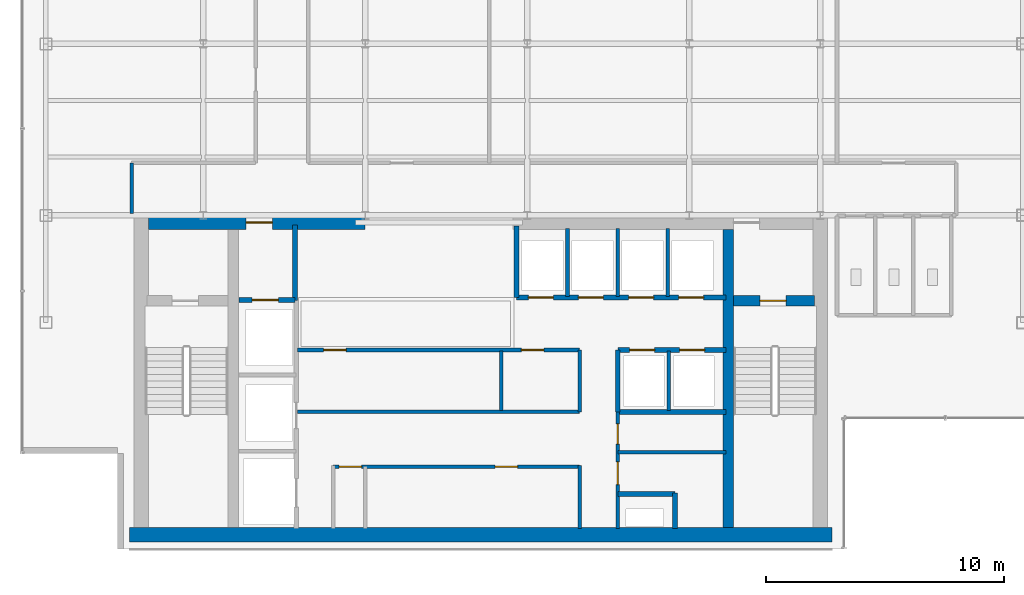
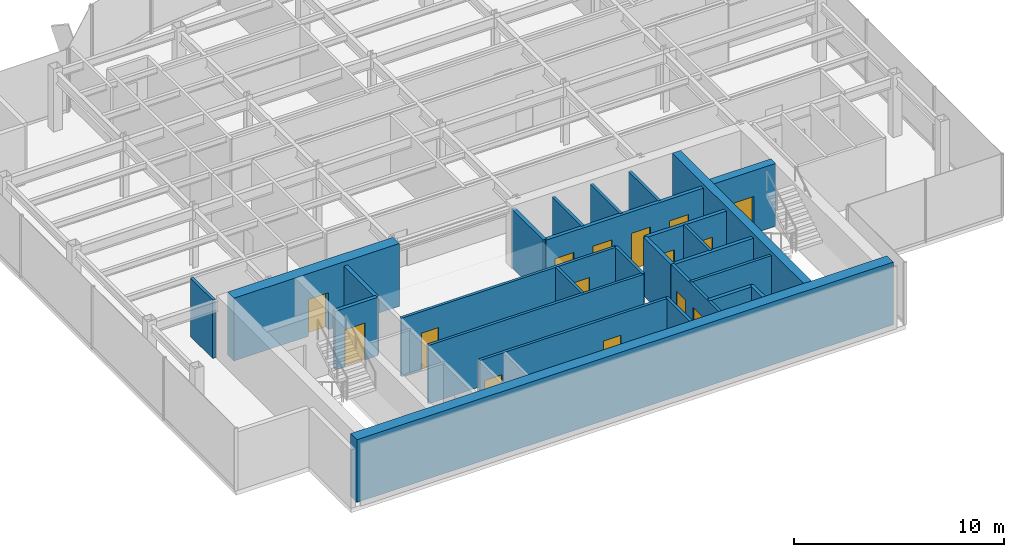
# One storey, part 17 of 22: 26 walls, 15 doors, 15 openings.
"""IFC4 building model written with IfcOpenShell, lengths in metres."""

from ifc_helpers import new_model, si_unit, derived_unit, direction, frame, frame_2d, origin, place, context, subcontext, project, spatial, rectangle, extrude, source, transform, mapped, material, layer, layer_set, type_object, element, fill, save


model = new_model("IFC4")

# Units and contexts
model_context = context("Model", 3, precision=1e-05, world=origin(), true_north=direction((0.0, 1.0)))
body_context = subcontext(model_context, "Body", "Model", "MODEL_VIEW")
ifc_project = project(units=[si_unit("LENGTHUNIT", "METRE"), si_unit("AREAUNIT", "SQUARE_METRE"), si_unit("VOLUMEUNIT", "CUBIC_METRE"), si_unit("PLANEANGLEUNIT", "RADIAN"), si_unit("MASSUNIT", "GRAM", prefix="KILO"), derived_unit("THERMALTRANSMITTANCEUNIT", [(si_unit("POWERUNIT", "WATT"), 1), (si_unit("LENGTHUNIT", "METRE"), -2), (si_unit("THERMODYNAMICTEMPERATUREUNIT", "KELVIN"), -1)])], contexts=[model_context])

# Site, building, storey
site_placement = place(None, origin())
site = spatial("IfcSite", under=ifc_project, at=site_placement, CompositionType="ELEMENT")
building_placement = place(site_placement, origin())
building = spatial("IfcBuilding", under=site, at=building_placement, Name="Skarnbrae Concourse Arena and Tower", CompositionType="ELEMENT")
storey_placement = place(building_placement, frame((0.0, 0.0, 210.5)))
storey = spatial("IfcBuildingStorey", under=building, at=storey_placement, Name="L54", CompositionType="ELEMENT", Elevation=210.5)

# Wall, opening, door
ifc_material_1 = material(Name="Concrete 50 MPa (C50/60)", Category="concrete")
ifc_layer_1 = layer(ifc_material_1, 0.449951171875)
ifc_layer_set_1 = layer_set([ifc_layer_1], Name="Concrete 50 MPa (C50/60)")
wall_type_1 = type_object("IfcWallType", Name="WALL-CORE-450-C50", PredefinedType="SHEAR", material=ifc_layer_set_1)
shared_shape_1 = source(origin(), body_context, "Body", "SweptSolid", [
    extrude(rectangle(XDim=3.389892578125, YDim=0.449951171875, at=frame_2d((1.69482421875, 0.0))), origin(), (0.0, 0.0, 1.0), 3.64990234375),
])
wall_1_placement = place(storey_placement, frame((29.860107421875, 10.419921875, 0.0), z_axis=(0.0, 0.0, 1.0), x_axis=(1.0, 0.0, 0.0)))
wall_1 = element("IfcWall", 1, at=wall_1_placement, inside=storey, type_object=wall_type_1, Name="L54 Rear core shear wall CW-ST2-N", PredefinedType="SHEAR", context=body_context, shape_type="MappedRepresentation", body=[
    mapped(shared_shape_1, transform((0.0, 0.0, 0.0))),
])
opening_1_placement = place(wall_1_placement, frame((1.10009765625, 0.0, 0.0)))
opening_1 = element("IfcOpeningElement", 2, at=opening_1_placement, cuts=wall_1, Name="Opening DT-03", PredefinedType="OPENING", context=body_context, shape_type="SweptSolid", body=[
    extrude(rectangle(XDim=1.10009765625, YDim=2.14990234375, at=frame_2d((0.550048828125, 1.074951171875))), frame((0.0, 0.23486328125, 0.0), z_axis=(0.0, -1.0, 0.0), x_axis=(1.0, 0.0, 0.0)), (0.0, 0.0, 1.0), 0.469970703125),
])
ifc_material_2 = material(Name="Steel CSA G40.21 350W", Category="steel")
door_type_1 = type_object("IfcDoorType", Name="DOOR-FIRE-1100-90M", OperationType="NOTDEFINED", PredefinedType="DOOR", material=ifc_material_2)
shared_shape_2 = source(origin(), body_context, "Body", "SweptSolid", [
    extrude(rectangle(XDim=1.10009765625, YDim=2.14990234375, at=frame_2d((0.550048828125, 1.074951171875))), frame((0.0, 0.02490234375, 0.0), z_axis=(0.0, -1.0, 0.0), x_axis=(1.0, 0.0, 0.0)), (0.0, 0.0, 1.0), 0.050048828125),
])
door_1_placement = place(opening_1_placement, frame((1.10009765625, 0.0, 0.0), z_axis=(0.0, 0.0, 1.0), x_axis=(-1.0, 0.0, 0.0)))
door_1 = element("IfcDoor", 3, at=door_1_placement, inside=storey, type_object=door_type_1, Name="D-1643 Stair ST-2 Door", OperationType="SINGLE_SWING_RIGHT", OverallHeight=2.14990234375, OverallWidth=1.10009765625, PredefinedType="DOOR", context=body_context, shape_type="MappedRepresentation", body=[
    mapped(shared_shape_2, transform((0.0, 0.0, 0.0))),
])
fill(opening_1, door_1)

# Wall
ifc_layer_2 = layer(ifc_material_1, 0.60009765625)
ifc_layer_set_2 = layer_set([ifc_layer_2], Name="Concrete 50 MPa (C50/60)")
wall_type_2 = type_object("IfcWallType", Name="WALL-CORE-600-C50", PredefinedType="SHEAR", material=ifc_layer_set_2)
shared_shape_3 = source(origin(), body_context, "Body", "SweptSolid", [
    extrude(rectangle(XDim=29.5, YDim=0.60009765625, at=frame_2d((14.75, 0.0))), origin(), (0.0, 0.0, 1.0), 3.64990234375),
])
wall_2_placement = place(storey_placement, frame((4.5, 0.60009765625, 0.0), z_axis=(0.0, 0.0, 1.0), x_axis=(1.0, 0.0, 0.0)))
element("IfcWall", 4, at=wall_2_placement, inside=storey, type_object=wall_type_2, Name="L54 Rear core shear wall CW-S", PredefinedType="SHEAR", context=body_context, shape_type="MappedRepresentation", body=[
    mapped(shared_shape_3, transform((0.0, 0.0, 0.0))),
])

# Wall, opening, door
shared_shape_4 = source(origin(), body_context, "Body", "SweptSolid", [
    extrude(rectangle(XDim=9.099853515625, YDim=0.60009765625, at=frame_2d((4.5498046875, 0.0))), origin(), (0.0, 0.0, 1.0), 3.64990234375),
])
wall_3_placement = place(storey_placement, frame((5.300048828125, 13.699951171875, 0.0), z_axis=(0.0, 0.0, 1.0), x_axis=(1.0, 0.0, 0.0)))
wall_3 = element("IfcWall", 5, at=wall_3_placement, inside=storey, type_object=wall_type_2, Name="L54 Rear core shear wall CW-NW", PredefinedType="SHEAR", context=body_context, shape_type="MappedRepresentation", body=[
    mapped(shared_shape_4, transform((0.0, 0.0, 0.0))),
])
opening_2_placement = place(wall_3_placement, frame((4.10009765625, 0.0, 0.0)))
opening_2 = element("IfcOpeningElement", 6, at=opening_2_placement, cuts=wall_3, Name="Opening DT-03", PredefinedType="OPENING", context=body_context, shape_type="SweptSolid", body=[
    extrude(rectangle(XDim=1.10009765625, YDim=2.14990234375, at=frame_2d((0.550048828125, 1.074951171875))), frame((0.0, 0.31005859375, 0.0), z_axis=(0.0, -1.0, 0.0), x_axis=(1.0, 0.0, 0.0)), (0.0, 0.0, 1.0), 0.6201171875),
])
door_2_placement = place(opening_2_placement, origin())
door_2 = element("IfcDoor", 7, at=door_2_placement, inside=storey, type_object=door_type_1, Name="D-1644 Firefighting Lobby Exit Door", OperationType="SINGLE_SWING_RIGHT", OverallHeight=2.14990234375, OverallWidth=1.10009765625, PredefinedType="DOOR", context=body_context, shape_type="MappedRepresentation", body=[
    mapped(shared_shape_2, transform((0.0, 0.0, 0.0))),
])
fill(opening_2, door_2)

# Walls
shared_shape_5 = source(origin(), body_context, "Body", "SweptSolid", [
    extrude(rectangle(XDim=12.5, YDim=0.449951171875, at=frame_2d((6.25, 0.0))), origin(), (0.0, 0.0, 1.0), 3.64990234375),
])
wall_4_placement = place(storey_placement, frame((29.635009765625, 0.89990234375, 0.0), z_axis=(0.0, 0.0, 1.0), x_axis=(0.0, 1.0, 0.0)))
element("IfcWall", 8, at=wall_4_placement, inside=storey, type_object=wall_type_1, Name="L54 Rear core shear wall CW-WEB-E", PredefinedType="SHEAR", context=body_context, shape_type="MappedRepresentation", body=[
    mapped(shared_shape_5, transform((0.0, 0.0, 0.0))),
])
ifc_material_3 = material(Name="Gypsum board on cold-formed steel studs", Category="steel")
ifc_layer_3 = layer(ifc_material_3, 0.199951171875)
ifc_layer_set_3 = layer_set([ifc_layer_3], Name="Gypsum board on cold-formed steel studs")
wall_type_3 = type_object("IfcWallType", Name="WALL-PART-200-2HR", PredefinedType="PARTITIONING", material=ifc_layer_set_3)
shared_shape_6 = source(origin(), body_context, "Body", "SweptSolid", [
    extrude(rectangle(XDim=3.18017578125, YDim=0.199951171875, at=frame_2d((1.590087890625, 0.0))), origin(), (0.0, 0.0, 1.0), 3.39990234375),
])
wall_5_placement = place(storey_placement, frame((11.449951171875, 10.419921875, 0.0), z_axis=(0.0, 0.0, 1.0), x_axis=(0.0, 1.0, 0.0)))
element("IfcWall", 9, at=wall_5_placement, inside=storey, type_object=wall_type_3, Name="L54 Interior partition wall W-L54-FFL-E", PredefinedType="PARTITIONING", context=body_context, shape_type="MappedRepresentation", body=[
    mapped(shared_shape_6, transform((0.0, 0.0, 0.0))),
])

# Wall, opening, door
shared_shape_7 = source(origin(), body_context, "Body", "SweptSolid", [
    extrude(rectangle(XDim=2.349853515625, YDim=0.199951171875, at=frame_2d((1.1748046875, 0.0))), origin(), (0.0, 0.0, 1.0), 3.39990234375),
])
wall_6_placement = place(storey_placement, frame((9.10009765625, 10.449951171875, 0.0), z_axis=(0.0, 0.0, 1.0), x_axis=(1.0, 0.0, 0.0)))
wall_6 = element("IfcWall", 10, at=wall_6_placement, inside=storey, type_object=wall_type_3, Name="L54 Interior partition wall W-L54-FL1-N", PredefinedType="PARTITIONING", context=body_context, shape_type="MappedRepresentation", body=[
    mapped(shared_shape_7, transform((0.0, 0.0, 0.0))),
])
opening_3_placement = place(wall_6_placement, frame((0.550048828125, 0.0, 0.0)))
opening_3 = element("IfcOpeningElement", 11, at=opening_3_placement, cuts=wall_6, Name="Opening LD-01", PredefinedType="OPENING", context=body_context, shape_type="SweptSolid", body=[
    extrude(rectangle(XDim=1.10009765625, YDim=2.14990234375, at=frame_2d((0.550048828125, 1.074951171875))), frame((0.0, 0.10986328125, 0.0), z_axis=(0.0, -1.0, 0.0), x_axis=(1.0, 0.0, 0.0)), (0.0, 0.0, 1.0), 0.219970703125),
])
door_type_2 = type_object("IfcDoorType", Name="DOOR-LIFT-SLIDE-1100", OperationType="SLIDING_TO_LEFT", PredefinedType="DOOR", material=ifc_material_2)
door_3_placement = place(opening_3_placement, origin())
door_3 = element("IfcDoor", 12, at=door_3_placement, inside=storey, type_object=door_type_2, Name="D-1646 Firefighting Lift Landing Door FL-01", OperationType="SLIDING_TO_LEFT", OverallHeight=2.14990234375, OverallWidth=1.10009765625, PredefinedType="DOOR", context=body_context, shape_type="MappedRepresentation", body=[
    mapped(shared_shape_2, transform((0.0, 0.0, 0.0))),
])
fill(opening_3, door_3)

# Walls
shared_shape_8 = source(origin(), body_context, "Body", "SweptSolid", [
    extrude(rectangle(XDim=2.60009765625, YDim=0.199951171875, at=frame_2d((1.300048828125, 0.0))), origin(), (0.0, 0.0, 1.0), 3.39990234375),
])
wall_7_placement = place(storey_placement, frame((25.0, 5.75, 0.0), z_axis=(0.0, 0.0, 1.0), x_axis=(0.0, 1.0, 0.0)))
element("IfcWall", 13, at=wall_7_placement, inside=storey, type_object=wall_type_3, Name="L54 Interior partition wall W-L54-B3S-W", PredefinedType="PARTITIONING", context=body_context, shape_type="MappedRepresentation", body=[
    mapped(shared_shape_8, transform((0.0, 0.0, 0.0))),
])
ifc_layer_4 = layer(ifc_material_3, 0.14990234375)
ifc_layer_set_4 = layer_set([ifc_layer_4], Name="Gypsum board on cold-formed steel studs")
wall_type_4 = type_object("IfcWallType", Name="WALL-PART-150", PredefinedType="PARTITIONING", material=ifc_layer_set_4)
shared_shape_9 = source(origin(), body_context, "Body", "SweptSolid", [
    extrude(rectangle(XDim=2.5, YDim=0.14990234375, at=frame_2d((1.25, 0.0))), origin(), (0.0, 0.0, 1.0), 3.39990234375),
])
for number, where, z_axis, x_axis, name in (
    (14, (20.10009765625, 5.800048828125, 0.0), (0.0, 0.0, 1.0), (0.0, 1.0, 0.0), "L54 Interior partition wall W-L54-B2M-MID"),
    (15, (27.139892578125, 5.800048828125, 0.0), (0.0, 0.0, 1.0), (0.0, 1.0, 0.0), "L54 Interior partition wall W-L54-B3S-P1"),
):
    element("IfcWall", number, at=place(storey_placement, frame(where, z_axis=z_axis, x_axis=x_axis)), inside=storey, type_object=wall_type_4, Name=name, PredefinedType="PARTITIONING", context=body_context, shape_type="MappedRepresentation", body=[
        mapped(shared_shape_9, transform((0.0, 0.0, 0.0))),
    ])

# Wall, openings, doors
shared_shape_10 = source(origin(), body_context, "Body", "SweptSolid", [
    extrude(rectangle(XDim=8.800048828125, YDim=0.199951171875, at=frame_2d((4.39990234375, 0.0))), origin(), (0.0, 0.0, 1.0), 3.39990234375),
])
wall_8_placement = place(storey_placement, frame((20.75, 10.550048828125, 0.0), z_axis=(0.0, 0.0, 1.0), x_axis=(1.0, 0.0, 0.0)))
wall_8 = element("IfcWall", 16, at=wall_8_placement, inside=storey, type_object=wall_type_3, Name="L54 Interior partition wall W-L54-B3N-S", PredefinedType="PARTITIONING", context=body_context, shape_type="MappedRepresentation", body=[
    mapped(shared_shape_10, transform((0.0, 0.0, 0.0))),
])
opening_4_placement = place(wall_8_placement, frame((0.5, 0.0, 0.0)))
opening_4 = element("IfcOpeningElement", 17, at=opening_4_placement, cuts=wall_8, Name="Opening LD-04", PredefinedType="OPENING", context=body_context, shape_type="SweptSolid", body=[
    extrude(rectangle(XDim=1.050048828125, YDim=2.14990234375, at=frame_2d((0.52490234375, 1.074951171875))), frame((0.0, 0.10986328125, 0.0), z_axis=(0.0, -1.0, 0.0), x_axis=(1.0, 0.0, 0.0)), (0.0, 0.0, 1.0), 0.219970703125),
])
opening_5_placement = place(wall_8_placement, frame((2.60009765625, 0.0, 0.0)))
opening_5 = element("IfcOpeningElement", 18, at=opening_5_placement, cuts=wall_8, Name="Opening LD-04", PredefinedType="OPENING", context=body_context, shape_type="SweptSolid", body=[
    extrude(rectangle(XDim=1.050048828125, YDim=2.14990234375, at=frame_2d((0.52490234375, 1.074951171875))), frame((0.0, 0.10986328125, 0.0), z_axis=(0.0, -1.0, 0.0), x_axis=(1.0, 0.0, 0.0)), (0.0, 0.0, 1.0), 0.219970703125),
])
opening_6_placement = place(wall_8_placement, frame((4.699951171875, 0.0, 0.0)))
opening_6 = element("IfcOpeningElement", 19, at=opening_6_placement, cuts=wall_8, Name="Opening LD-04", PredefinedType="OPENING", context=body_context, shape_type="SweptSolid", body=[
    extrude(rectangle(XDim=1.050048828125, YDim=2.14990234375, at=frame_2d((0.52490234375, 1.074951171875))), frame((0.0, 0.10986328125, 0.0), z_axis=(0.0, -1.0, 0.0), x_axis=(1.0, 0.0, 0.0)), (0.0, 0.0, 1.0), 0.219970703125),
])
opening_7_placement = place(wall_8_placement, frame((6.800048828125, 0.0, 0.0)))
opening_7 = element("IfcOpeningElement", 20, at=opening_7_placement, cuts=wall_8, Name="Opening LD-04", PredefinedType="OPENING", context=body_context, shape_type="SweptSolid", body=[
    extrude(rectangle(XDim=1.050048828125, YDim=2.14990234375, at=frame_2d((0.52490234375, 1.074951171875))), frame((0.0, 0.10986328125, 0.0), z_axis=(0.0, -1.0, 0.0), x_axis=(1.0, 0.0, 0.0)), (0.0, 0.0, 1.0), 0.219970703125),
])
ifc_material_4 = material(Name="Bronze anodised aluminium 6063-T6", Category="aluminium")
door_type_3 = type_object("IfcDoorType", Name="DOOR-LIFT-SLIDE-1050H", OperationType="SLIDING_TO_LEFT", PredefinedType="DOOR", material=ifc_material_4)
shared_shape_11 = source(origin(), body_context, "Body", "SweptSolid", [
    extrude(rectangle(XDim=1.050048828125, YDim=2.14990234375, at=frame_2d((0.52490234375, 1.074951171875))), frame((0.0, 0.02490234375, 0.0), z_axis=(0.0, -1.0, 0.0), x_axis=(1.0, 0.0, 0.0)), (0.0, 0.0, 1.0), 0.050048828125),
])
door_4_placement = place(opening_4_placement, frame((1.050048828125, 0.0, 0.0), z_axis=(0.0, 0.0, 1.0), x_axis=(-1.0, 0.0, 0.0)))
door_4 = element("IfcDoor", 21, at=door_4_placement, inside=storey, type_object=door_type_3, Name="D-1653 Passenger Lift Landing Door PL-3A", OperationType="SLIDING_TO_LEFT", OverallHeight=2.14990234375, OverallWidth=1.050048828125, PredefinedType="DOOR", context=body_context, shape_type="MappedRepresentation", body=[
    mapped(shared_shape_11, transform((0.0, 0.0, 0.0))),
])
fill(opening_4, door_4)
door_5_placement = place(opening_5_placement, frame((1.050048828125, 0.0, 0.0), z_axis=(0.0, 0.0, 1.0), x_axis=(-1.0, 0.0, 0.0)))
door_5 = element("IfcDoor", 22, at=door_5_placement, inside=storey, type_object=door_type_3, Name="D-1654 Passenger Lift Landing Door PL-3B", OperationType="SLIDING_TO_LEFT", OverallHeight=2.14990234375, OverallWidth=1.050048828125, PredefinedType="DOOR", context=body_context, shape_type="MappedRepresentation", body=[
    mapped(shared_shape_11, transform((0.0, 0.0, 0.0))),
])
fill(opening_5, door_5)
door_6_placement = place(opening_6_placement, frame((1.050048828125, 0.0, 0.0), z_axis=(0.0, 0.0, 1.0), x_axis=(-1.0, 0.0, 0.0)))
door_6 = element("IfcDoor", 23, at=door_6_placement, inside=storey, type_object=door_type_3, Name="D-1655 Passenger Lift Landing Door PL-3C", OperationType="SLIDING_TO_LEFT", OverallHeight=2.14990234375, OverallWidth=1.050048828125, PredefinedType="DOOR", context=body_context, shape_type="MappedRepresentation", body=[
    mapped(shared_shape_11, transform((0.0, 0.0, 0.0))),
])
fill(opening_6, door_6)
door_7_placement = place(opening_7_placement, frame((1.050048828125, 0.0, 0.0), z_axis=(0.0, 0.0, 1.0), x_axis=(-1.0, 0.0, 0.0)))
door_7 = element("IfcDoor", 24, at=door_7_placement, inside=storey, type_object=door_type_3, Name="D-1656 Passenger Lift Landing Door PL-3D", OperationType="SLIDING_TO_LEFT", OverallHeight=2.14990234375, OverallWidth=1.050048828125, PredefinedType="DOOR", context=body_context, shape_type="MappedRepresentation", body=[
    mapped(shared_shape_11, transform((0.0, 0.0, 0.0))),
])
fill(opening_7, door_7)

# Walls
shared_shape_12 = source(origin(), body_context, "Body", "SweptSolid", [
    extrude(rectangle(XDim=3.0, YDim=0.199951171875, at=frame_2d((1.5, 0.0))), origin(), (0.0, 0.0, 1.0), 3.39990234375),
])
wall_9_placement = place(storey_placement, frame((20.75, 10.550048828125, 0.0), z_axis=(0.0, 0.0, 1.0), x_axis=(0.0, 1.0, 0.0)))
element("IfcWall", 25, at=wall_9_placement, inside=storey, type_object=wall_type_3, Name="L54 Interior partition wall W-L54-B3N-W", PredefinedType="PARTITIONING", context=body_context, shape_type="MappedRepresentation", body=[
    mapped(shared_shape_12, transform((0.0, 0.0, 0.0))),
])
shared_shape_13 = source(origin(), body_context, "Body", "SweptSolid", [
    extrude(rectangle(XDim=2.849853515625, YDim=0.14990234375, at=frame_2d((1.4248046875, 0.0))), origin(), (0.0, 0.0, 1.0), 3.39990234375),
])
for number, where, z_axis, x_axis, name in (
    (26, (22.889892578125, 10.60009765625, 0.0), (0.0, 0.0, 1.0), (0.0, 1.0, 0.0), "L54 Interior partition wall W-L54-B3N-P1"),
    (27, (24.989990234375, 10.60009765625, 0.0), (0.0, 0.0, 1.0), (0.0, 1.0, 0.0), "L54 Interior partition wall W-L54-B3N-P2"),
    (28, (27.090087890625, 10.60009765625, 0.0), (0.0, 0.0, 1.0), (0.0, 1.0, 0.0), "L54 Interior partition wall W-L54-B3N-P3"),
):
    element("IfcWall", number, at=place(storey_placement, frame(where, z_axis=z_axis, x_axis=x_axis)), inside=storey, type_object=wall_type_4, Name=name, PredefinedType="PARTITIONING", context=body_context, shape_type="MappedRepresentation", body=[
        mapped(shared_shape_13, transform((0.0, 0.0, 0.0))),
    ])

# Wall, openings, doors
shared_shape_14 = source(origin(), body_context, "Body", "SweptSolid", [
    extrude(rectangle(XDim=4.550048828125, YDim=0.199951171875, at=frame_2d((2.27490234375, 0.0))), origin(), (0.0, 0.0, 1.0), 3.39990234375),
])
wall_10_placement = place(storey_placement, frame((25.0, 8.35009765625, 0.0), z_axis=(0.0, 0.0, 1.0), x_axis=(1.0, 0.0, 0.0)))
wall_10 = element("IfcWall", 29, at=wall_10_placement, inside=storey, type_object=wall_type_3, Name="L54 Interior partition wall W-L54-B3S-N", PredefinedType="PARTITIONING", context=body_context, shape_type="MappedRepresentation", body=[
    mapped(shared_shape_14, transform((0.0, 0.0, 0.0))),
])
opening_8_placement = place(wall_10_placement, frame((0.5, 0.0, 0.0)))
opening_8 = element("IfcOpeningElement", 30, at=opening_8_placement, cuts=wall_10, Name="Opening LD-04", PredefinedType="OPENING", context=body_context, shape_type="SweptSolid", body=[
    extrude(rectangle(XDim=1.050048828125, YDim=2.14990234375, at=frame_2d((0.52490234375, 1.074951171875))), frame((0.0, 0.10986328125, 0.0), z_axis=(0.0, -1.0, 0.0), x_axis=(1.0, 0.0, 0.0)), (0.0, 0.0, 1.0), 0.219970703125),
])
opening_9_placement = place(wall_10_placement, frame((2.60009765625, 0.0, 0.0)))
opening_9 = element("IfcOpeningElement", 31, at=opening_9_placement, cuts=wall_10, Name="Opening LD-04", PredefinedType="OPENING", context=body_context, shape_type="SweptSolid", body=[
    extrude(rectangle(XDim=1.050048828125, YDim=2.14990234375, at=frame_2d((0.52490234375, 1.074951171875))), frame((0.0, 0.10986328125, 0.0), z_axis=(0.0, -1.0, 0.0), x_axis=(1.0, 0.0, 0.0)), (0.0, 0.0, 1.0), 0.219970703125),
])
door_8_placement = place(opening_8_placement, origin())
door_8 = element("IfcDoor", 32, at=door_8_placement, inside=storey, type_object=door_type_3, Name="D-1657 Passenger Lift Landing Door PL-3E", OperationType="SLIDING_TO_LEFT", OverallHeight=2.14990234375, OverallWidth=1.050048828125, PredefinedType="DOOR", context=body_context, shape_type="MappedRepresentation", body=[
    mapped(shared_shape_11, transform((0.0, 0.0, 0.0))),
])
fill(opening_8, door_8)
door_9_placement = place(opening_9_placement, origin())
door_9 = element("IfcDoor", 33, at=door_9_placement, inside=storey, type_object=door_type_3, Name="D-1658 Passenger Lift Landing Door PL-3F", OperationType="SLIDING_TO_LEFT", OverallHeight=2.14990234375, OverallWidth=1.050048828125, PredefinedType="DOOR", context=body_context, shape_type="MappedRepresentation", body=[
    mapped(shared_shape_11, transform((0.0, 0.0, 0.0))),
])
fill(opening_9, door_9)

# Wall
wall_11_placement = place(storey_placement, frame((25.0, 5.75, 0.0), z_axis=(0.0, 0.0, 1.0), x_axis=(1.0, 0.0, 0.0)))
element("IfcWall", 34, at=wall_11_placement, inside=storey, type_object=wall_type_3, Name="L54 Interior partition wall W-L54-B3S-S", PredefinedType="PARTITIONING", context=body_context, shape_type="MappedRepresentation", body=[
    mapped(shared_shape_14, transform((0.0, 0.0, 0.0))),
])

# Wall, openings, doors
ifc_layer_5 = layer(ifc_material_3, 0.14990234375)
ifc_layer_set_5 = layer_set([ifc_layer_5], Name="Gypsum board on cold-formed steel studs")
wall_type_5 = type_object("IfcWallType", Name="WALL-PART-150-1HR", PredefinedType="PARTITIONING", material=ifc_layer_set_5)
shared_shape_15 = source(origin(), body_context, "Body", "SweptSolid", [
    extrude(rectangle(XDim=4.89990234375, YDim=0.14990234375, at=frame_2d((2.449951171875, 0.0))), origin(), (0.0, 0.0, 1.0), 3.39990234375),
])
wall_12_placement = place(storey_placement, frame((25.0, 0.85009765625, 0.0), z_axis=(0.0, 0.0, 1.0), x_axis=(0.0, 1.0, 0.0)))
wall_12 = element("IfcWall", 35, at=wall_12_placement, inside=storey, type_object=wall_type_5, Name="L54 Interior partition wall W-L54-CSV-W", PredefinedType="PARTITIONING", context=body_context, shape_type="MappedRepresentation", body=[
    mapped(shared_shape_15, transform((0.0, 0.0, 0.0))),
])
opening_10_placement = place(wall_12_placement, frame((1.85009765625, 0.0, 0.0)))
opening_10 = element("IfcOpeningElement", 36, at=opening_10_placement, cuts=wall_12, Name="Opening DT-04", PredefinedType="OPENING", context=body_context, shape_type="SweptSolid", body=[
    extrude(rectangle(XDim=0.949951171875, YDim=2.14990234375, at=frame_2d((0.47509765625, 1.074951171875))), frame((0.0, 0.0849609375, 0.0), z_axis=(0.0, -1.0, 0.0), x_axis=(1.0, 0.0, 0.0)), (0.0, 0.0, 1.0), 0.169921875),
])
opening_11_placement = place(wall_12_placement, frame((3.550048828125, 0.0, 0.0)))
opening_11 = element("IfcOpeningElement", 37, at=opening_11_placement, cuts=wall_12, Name="Opening DT-08", PredefinedType="OPENING", context=body_context, shape_type="SweptSolid", body=[
    extrude(rectangle(XDim=0.85009765625, YDim=2.14990234375, at=frame_2d((0.425048828125, 1.074951171875))), frame((0.0, 0.0849609375, 0.0), z_axis=(0.0, -1.0, 0.0), x_axis=(1.0, 0.0, 0.0)), (0.0, 0.0, 1.0), 0.169921875),
])
door_type_4 = type_object("IfcDoorType", Name="DOOR-INT-950-45M", OperationType="NOTDEFINED", PredefinedType="DOOR", material=ifc_material_2)
shared_shape_16 = source(origin(), body_context, "Body", "SweptSolid", [
    extrude(rectangle(XDim=0.949951171875, YDim=2.14990234375, at=frame_2d((0.47509765625, 1.074951171875))), frame((0.0, 0.02490234375, 0.0), z_axis=(0.0, -1.0, 0.0), x_axis=(1.0, 0.0, 0.0)), (0.0, 0.0, 1.0), 0.050048828125),
])
door_10_placement = place(opening_10_placement, origin())
door_10 = element("IfcDoor", 38, at=door_10_placement, inside=storey, type_object=door_type_4, Name="D-1659 Core Staff WC Door", OperationType="SINGLE_SWING_RIGHT", OverallHeight=2.14990234375, OverallWidth=0.949951171875, PredefinedType="DOOR", context=body_context, shape_type="MappedRepresentation", body=[
    mapped(shared_shape_16, transform((0.0, 0.0, 0.0))),
])
fill(opening_10, door_10)
door_type_5 = type_object("IfcDoorType", Name="DOOR-INT-850-45M", OperationType="NOTDEFINED", PredefinedType="DOOR", material=ifc_material_2)
shared_shape_17 = source(origin(), body_context, "Body", "SweptSolid", [
    extrude(rectangle(XDim=0.85009765625, YDim=2.14990234375, at=frame_2d((0.425048828125, 1.074951171875))), frame((0.0, 0.02490234375, 0.0), z_axis=(0.0, -1.0, 0.0), x_axis=(1.0, 0.0, 0.0)), (0.0, 0.0, 1.0), 0.050048828125),
])
door_11_placement = place(opening_11_placement, origin())
door_11 = element("IfcDoor", 39, at=door_11_placement, inside=storey, type_object=door_type_5, Name="D-1660 IT Patch Room Door", OperationType="SINGLE_SWING_LEFT", OverallHeight=2.14990234375, OverallWidth=0.85009765625, PredefinedType="DOOR", context=body_context, shape_type="MappedRepresentation", body=[
    mapped(shared_shape_17, transform((0.0, 0.0, 0.0))),
])
fill(opening_11, door_11)

# Walls
shared_shape_18 = source(origin(), body_context, "Body", "SweptSolid", [
    extrude(rectangle(XDim=2.39990234375, YDim=0.199951171875, at=frame_2d((1.199951171875, 0.0))), origin(), (0.0, 0.0, 1.0), 3.39990234375),
])
wall_13_placement = place(storey_placement, frame((25.0, 2.300048828125, 0.0), z_axis=(0.0, 0.0, 1.0), x_axis=(1.0, 0.0, 0.0)))
element("IfcWall", 40, at=wall_13_placement, inside=storey, type_object=wall_type_3, Name="L54 Interior partition wall W-L54-MEP-N", PredefinedType="PARTITIONING", context=body_context, shape_type="MappedRepresentation", body=[
    mapped(shared_shape_18, transform((0.0, 0.0, 0.0))),
])
shared_shape_19 = source(origin(), body_context, "Body", "SweptSolid", [
    extrude(rectangle(XDim=1.5, YDim=0.199951171875, at=frame_2d((0.75, 0.0))), origin(), (0.0, 0.0, 1.0), 3.39990234375),
])
wall_14_placement = place(storey_placement, frame((27.39990234375, 0.85009765625, 0.0), z_axis=(0.0, 0.0, 1.0), x_axis=(0.0, 1.0, 0.0)))
element("IfcWall", 41, at=wall_14_placement, inside=storey, type_object=wall_type_3, Name="L54 Interior partition wall W-L54-MEP-E", PredefinedType="PARTITIONING", context=body_context, shape_type="MappedRepresentation", body=[
    mapped(shared_shape_19, transform((0.0, 0.0, 0.0))),
])
shared_shape_20 = source(origin(), body_context, "Body", "SweptSolid", [
    extrude(rectangle(XDim=4.550048828125, YDim=0.14990234375, at=frame_2d((2.27490234375, 0.0))), origin(), (0.0, 0.0, 1.0), 3.39990234375),
])
wall_15_placement = place(storey_placement, frame((25.0, 4.050048828125, 0.0), z_axis=(0.0, 0.0, 1.0), x_axis=(1.0, 0.0, 0.0)))
element("IfcWall", 42, at=wall_15_placement, inside=storey, type_object=wall_type_4, Name="L54 Interior partition wall W-L54-CSV-H2", PredefinedType="PARTITIONING", context=body_context, shape_type="MappedRepresentation", body=[
    mapped(shared_shape_20, transform((0.0, 0.0, 0.0))),
])
shared_shape_21 = source(origin(), body_context, "Body", "SweptSolid", [
    extrude(rectangle(XDim=2.64990234375, YDim=0.14990234375, at=frame_2d((1.324951171875, 0.0))), origin(), (0.0, 0.0, 1.0), 3.39990234375),
])
wall_16_placement = place(storey_placement, frame((23.39990234375, 0.85009765625, 0.0), z_axis=(0.0, 0.0, 1.0), x_axis=(0.0, 1.0, 0.0)))
element("IfcWall", 43, at=wall_16_placement, inside=storey, type_object=wall_type_5, Name="L54 Interior partition wall W-L54-B1M-E", PredefinedType="PARTITIONING", context=body_context, shape_type="MappedRepresentation", body=[
    mapped(shared_shape_21, transform((0.0, 0.0, 0.0))),
])

# Wall, openings, doors
shared_shape_22 = source(origin(), body_context, "Body", "SweptSolid", [
    extrude(rectangle(XDim=10.349853515625, YDim=0.14990234375, at=frame_2d((5.1748046875, 0.0))), origin(), (0.0, 0.0, 1.0), 3.39990234375),
])
wall_17_placement = place(storey_placement, frame((13.050048828125, 3.449951171875, 0.0), z_axis=(0.0, 0.0, 1.0), x_axis=(1.0, 0.0, 0.0)))
wall_17 = element("IfcWall", 44, at=wall_17_placement, inside=storey, type_object=wall_type_5, Name="L54 Interior partition wall W-L54-B1M-N", PredefinedType="PARTITIONING", context=body_context, shape_type="MappedRepresentation", body=[
    mapped(shared_shape_22, transform((0.0, 0.0, 0.0))),
])
opening_12_placement = place(wall_17_placement, frame((0.25, 0.0, 0.0)))
opening_12 = element("IfcOpeningElement", 45, at=opening_12_placement, cuts=wall_17, Name="Opening DT-04", PredefinedType="OPENING", context=body_context, shape_type="SweptSolid", body=[
    extrude(rectangle(XDim=0.949951171875, YDim=2.14990234375, at=frame_2d((0.47509765625, 1.074951171875))), frame((0.0, 0.0849609375, 0.0), z_axis=(0.0, -1.0, 0.0), x_axis=(1.0, 0.0, 0.0)), (0.0, 0.0, 1.0), 0.169921875),
])
opening_13_placement = place(wall_17_placement, frame((6.800048828125, 0.0, 0.0)))
opening_13 = element("IfcOpeningElement", 46, at=opening_13_placement, cuts=wall_17, Name="Opening DT-04", PredefinedType="OPENING", context=body_context, shape_type="SweptSolid", body=[
    extrude(rectangle(XDim=0.949951171875, YDim=2.14990234375, at=frame_2d((0.47509765625, 1.074951171875))), frame((0.0, 0.0849609375, 0.0), z_axis=(0.0, -1.0, 0.0), x_axis=(1.0, 0.0, 0.0)), (0.0, 0.0, 1.0), 0.169921875),
])
door_12_placement = place(opening_12_placement, origin())
door_12 = element("IfcDoor", 47, at=door_12_placement, inside=storey, type_object=door_type_4, Name="D-1649 First Aid Room Door", OperationType="SINGLE_SWING_LEFT", OverallHeight=2.14990234375, OverallWidth=0.949951171875, PredefinedType="DOOR", context=body_context, shape_type="MappedRepresentation", body=[
    mapped(shared_shape_16, transform((0.0, 0.0, 0.0))),
])
fill(opening_12, door_12)
door_13_placement = place(opening_13_placement, origin())
door_13 = element("IfcDoor", 48, at=door_13_placement, inside=storey, type_object=door_type_4, Name="D-1650 Archive Room Door", OperationType="SINGLE_SWING_RIGHT", OverallHeight=2.14990234375, OverallWidth=0.949951171875, PredefinedType="DOOR", context=body_context, shape_type="MappedRepresentation", body=[
    mapped(shared_shape_16, transform((0.0, 0.0, 0.0))),
])
fill(opening_13, door_13)

# Walls
shared_shape_23 = source(origin(), body_context, "Body", "SweptSolid", [
    extrude(rectangle(XDim=2.119873046875, YDim=0.14990234375, at=frame_2d((1.06005859375, 0.0))), origin(), (0.0, 0.0, 1.0), 3.39990234375),
])
wall_18_placement = place(storey_placement, frame((4.60009765625, 14.080078125, 0.0), z_axis=(0.0, 0.0, 1.0), x_axis=(0.0, 1.0, 0.0)))
element("IfcWall", 49, at=wall_18_placement, inside=storey, type_object=wall_type_5, Name="L54 Interior partition wall W-L54-COR-01", PredefinedType="PARTITIONING", context=body_context, shape_type="MappedRepresentation", body=[
    mapped(shared_shape_23, transform((0.0, 0.0, 0.0))),
])
shared_shape_24 = source(origin(), body_context, "Body", "SweptSolid", [
    extrude(rectangle(XDim=11.849853515625, YDim=0.14990234375, at=frame_2d((5.9248046875, 0.0))), origin(), (0.0, 0.0, 1.0), 3.39990234375),
])
wall_19_placement = place(storey_placement, frame((11.550048828125, 5.75, 0.0), z_axis=(0.0, 0.0, 1.0), x_axis=(1.0, 0.0, 0.0)))
element("IfcWall", 50, at=wall_19_placement, inside=storey, type_object=wall_type_5, Name="L54 Interior partition wall W-L54-B2M-S", PredefinedType="PARTITIONING", context=body_context, shape_type="MappedRepresentation", body=[
    mapped(shared_shape_24, transform((0.0, 0.0, 0.0))),
])

# Wall, openings, doors
wall_20_placement = place(storey_placement, frame((11.550048828125, 8.35009765625, 0.0), z_axis=(0.0, 0.0, 1.0), x_axis=(1.0, 0.0, 0.0)))
wall_20 = element("IfcWall", 51, at=wall_20_placement, inside=storey, type_object=wall_type_5, Name="L54 Interior partition wall W-L54-B2M-N", PredefinedType="PARTITIONING", context=body_context, shape_type="MappedRepresentation", body=[
    mapped(shared_shape_24, transform((0.0, 0.0, 0.0))),
])
opening_14_placement = place(wall_20_placement, frame((1.10009765625, 0.0, 0.0)))
opening_14 = element("IfcOpeningElement", 52, at=opening_14_placement, cuts=wall_20, Name="Opening DT-04", PredefinedType="OPENING", context=body_context, shape_type="SweptSolid", body=[
    extrude(rectangle(XDim=0.949951171875, YDim=2.14990234375, at=frame_2d((0.47509765625, 1.074951171875))), frame((0.0, 0.0849609375, 0.0), z_axis=(0.0, -1.0, 0.0), x_axis=(1.0, 0.0, 0.0)), (0.0, 0.0, 1.0), 0.169921875),
])
opening_15_placement = place(wall_20_placement, frame((9.39990234375, 0.0, 0.0)))
opening_15 = element("IfcOpeningElement", 53, at=opening_15_placement, cuts=wall_20, Name="Opening DT-04", PredefinedType="OPENING", context=body_context, shape_type="SweptSolid", body=[
    extrude(rectangle(XDim=0.949951171875, YDim=2.14990234375, at=frame_2d((0.47509765625, 1.074951171875))), frame((0.0, 0.0849609375, 0.0), z_axis=(0.0, -1.0, 0.0), x_axis=(1.0, 0.0, 0.0)), (0.0, 0.0, 1.0), 0.169921875),
])
door_14_placement = place(opening_14_placement, origin())
door_14 = element("IfcDoor", 54, at=door_14_placement, inside=storey, type_object=door_type_4, Name="D-1651 High-Zone Data Door", OperationType="SINGLE_SWING_RIGHT", OverallHeight=2.14990234375, OverallWidth=0.949951171875, PredefinedType="DOOR", context=body_context, shape_type="MappedRepresentation", body=[
    mapped(shared_shape_16, transform((0.0, 0.0, 0.0))),
])
fill(opening_14, door_14)
door_15_placement = place(opening_15_placement, origin())
door_15 = element("IfcDoor", 55, at=door_15_placement, inside=storey, type_object=door_type_4, Name="D-1652 Reprographics Door", OperationType="SINGLE_SWING_LEFT", OverallHeight=2.14990234375, OverallWidth=0.949951171875, PredefinedType="DOOR", context=body_context, shape_type="MappedRepresentation", body=[
    mapped(shared_shape_16, transform((0.0, 0.0, 0.0))),
])
fill(opening_15, door_15)

# Wall
shared_shape_25 = source(origin(), body_context, "Body", "SweptSolid", [
    extrude(rectangle(XDim=2.60009765625, YDim=0.14990234375, at=frame_2d((1.300048828125, 0.0))), origin(), (0.0, 0.0, 1.0), 3.39990234375),
])
wall_21_placement = place(storey_placement, frame((23.39990234375, 5.75, 0.0), z_axis=(0.0, 0.0, 1.0), x_axis=(0.0, 1.0, 0.0)))
element("IfcWall", 56, at=wall_21_placement, inside=storey, type_object=wall_type_5, Name="L54 Interior partition wall W-L54-B2M-E", PredefinedType="PARTITIONING", context=body_context, shape_type="MappedRepresentation", body=[
    mapped(shared_shape_25, transform((0.0, 0.0, 0.0))),
])

save(model, "model.ifc")
